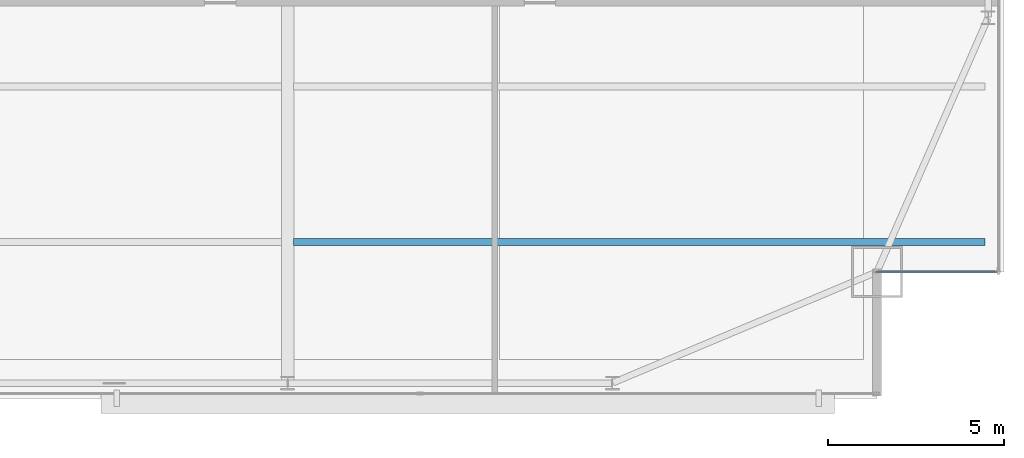
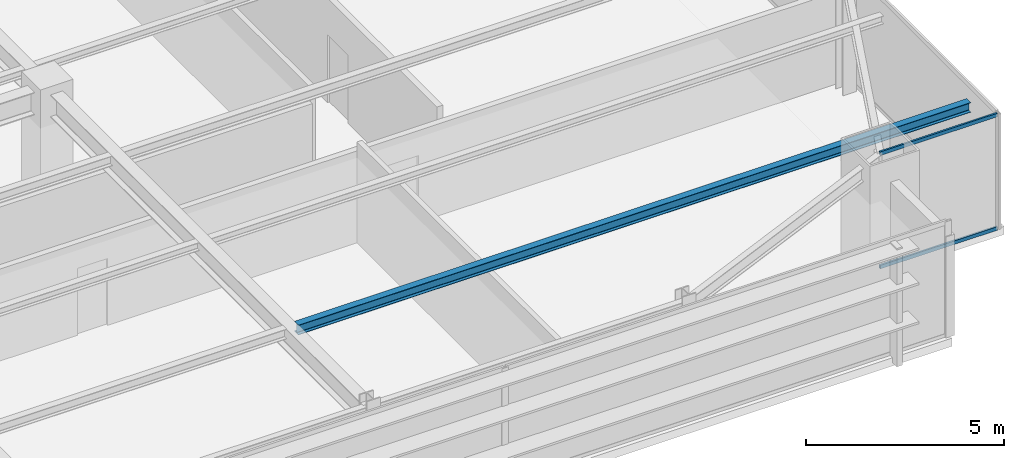
# One storey, part 15 of 33: 2 members, 1 beam, 1 element without a shape of its own.
"""IFC4 building model written with IfcOpenShell, lengths in metres."""

from ifc_helpers import new_model, si_unit, direction, frame, origin, origin_2d, place, context, subcontext, project, spatial, hollow_rectangle, i_section, extrude, source, transform, mapped, material, layer, layer_set, material_profile, profile_set, type_object, type_shapes, element, aggregate, save


model = new_model("IFC4")

# Units and contexts
model_context = context("Model", 3, precision=1e-05, world=origin(), true_north=direction((0.0, 1.0)))
body_context = subcontext(model_context, "Body", "Model", "MODEL_VIEW")
ifc_project = project(units=[si_unit("LENGTHUNIT", "METRE"), si_unit("AREAUNIT", "SQUARE_METRE"), si_unit("VOLUMEUNIT", "CUBIC_METRE"), si_unit("PLANEANGLEUNIT", "RADIAN"), si_unit("MASSUNIT", "GRAM", prefix="KILO")], contexts=[model_context])

# Site, building, storey
site_placement = place(None, origin())
site = spatial("IfcSite", under=ifc_project, at=site_placement, CompositionType="ELEMENT")
building_placement = place(site_placement, origin())
building = spatial("IfcBuilding", under=site, at=building_placement, Name="Varnel Quay Broadcast Tower", CompositionType="ELEMENT")
storey_placement = place(building_placement, frame((0.0, 0.0, 129.60009765625)))
storey = spatial("IfcBuildingStorey", under=building, at=storey_placement, Name="L31", CompositionType="ELEMENT", Elevation=129.60009765625)

# Beam
ifc_material_1 = material(Name="Structural Steel CSA G40.21 350W", Category="steel")
ifc_material_profile_1 = material_profile(ifc_material_1, i_section(OverallWidth=0.202880859375, OverallDepth=0.302978515625, WebThickness=0.007568359375, FlangeThickness=0.01318359375, FilletRadius=0.011962890625, at=origin_2d()), Name="W310X60")
ifc_profile_set_1 = profile_set([ifc_material_profile_1], Name="Structural Steel CSA G40.21 350W")
beam_type = type_object("IfcBeamType", Name="Beam_W310X60", PredefinedType="JOIST", material=ifc_profile_set_1)
shared_shape_1 = source(origin(), body_context, "Body", "SweptSolid", [
    extrude(i_section(OverallWidth=0.202880859375, OverallDepth=0.302978515625, WebThickness=0.007568359375, FlangeThickness=0.01318359375, FilletRadius=0.011962890625, at=origin_2d()), origin(), (0.0, 0.0, 1.0), 19.592041015625),
])
type_shapes(beam_type, [shared_shape_1])
beam_placement = place(storey_placement, frame((43.37255859375, 8.64990234375, 3.3984375), z_axis=(1.0, 0.0, 0.0), x_axis=(0.0, 1.0, 0.0)))
element("IfcBeam", 1, at=beam_placement, inside=storey, type_object=beam_type, Name="L31 East Floor Joist 1", PredefinedType="JOIST", context=body_context, shape_type="MappedRepresentation", body=[
    mapped(shared_shape_1, transform((0.0, 0.0, 0.0), x_axis=(1.0, 0.0, 0.0), y_axis=(0.0, 1.0, 0.0), z_axis=(0.0, 0.0, 1.0), scale=1.0)),
])

# Curtain wall, members
ifc_material_2 = material(Name="Anodised Bronze Aluminium 6063-T6", Category="aluminium")
ifc_layer = layer(ifc_material_2, 0.18994140625, Name="Anodised Bronze Aluminium 6063-T6")
ifc_layer_set = layer_set([ifc_layer], Name="Anodised Bronze Aluminium 6063-T6")
curtain_wall_type = type_object("IfcCurtainWallType", Name="CW_NotchCorner", PredefinedType="NOTDEFINED", material=ifc_layer_set)
curtain_wall_placement = place(storey_placement, origin())
curtain_wall = element("IfcCurtainWall", 2, at=curtain_wall_placement, inside=storey, type_object=curtain_wall_type, Name="L31 SE Notch Curtain Wall", PredefinedType="NOTDEFINED")
ifc_material_profile_2 = material_profile(ifc_material_2, hollow_rectangle(XDim=0.054931640625, YDim=0.110107421875, WallThickness=0.0029296875, at=origin_2d()), Name="ALU55X110X3")
ifc_profile_set_2 = profile_set([ifc_material_profile_2], Name="Anodised Bronze Aluminium 6063-T6")
member_type = type_object("IfcMemberType", Name="Tran_CWS-04", PredefinedType="USERDEFINED", material=ifc_profile_set_2)
shared_shape_2 = source(origin(), body_context, "Body", "SweptSolid", [
    extrude(hollow_rectangle(XDim=0.054931640625, YDim=0.110107421875, WallThickness=0.0029296875, at=origin_2d()), origin(), (0.0, 0.0, 1.0), 3.41015625),
])
type_shapes(member_type, [shared_shape_2])
member_1_placement = place(storey_placement, frame((59.8798828125, 7.800048828125, 0.02734375), z_axis=(1.0, 0.0, 0.0), x_axis=(0.0, 1.0, 0.0)))
member_1 = element("IfcMember", 3, at=member_1_placement, type_object=member_type, Name="CWS-04 transom 1.1", ObjectType="TRANSOM", PredefinedType="USERDEFINED", context=body_context, shape_type="MappedRepresentation", body=[
    mapped(shared_shape_2, transform((0.0, 0.0, 0.0), x_axis=(1.0, 0.0, 0.0), y_axis=(0.0, 1.0, 0.0), z_axis=(0.0, 0.0, 1.0), scale=1.0)),
])
member_2_placement = place(storey_placement, frame((59.8798828125, 7.800048828125, 3.5224609375), z_axis=(1.0, 0.0, 0.0), x_axis=(0.0, 1.0, 0.0)))
member_2 = element("IfcMember", 4, at=member_2_placement, type_object=member_type, Name="CWS-04 transom 1.2", ObjectType="TRANSOM", PredefinedType="USERDEFINED", context=body_context, shape_type="MappedRepresentation", body=[
    mapped(shared_shape_2, transform((0.0, 0.0, 0.0), x_axis=(1.0, 0.0, 0.0), y_axis=(0.0, 1.0, 0.0), z_axis=(0.0, 0.0, 1.0), scale=1.0)),
])
aggregate(curtain_wall, [member_1, member_2])

save(model, "model.ifc")
